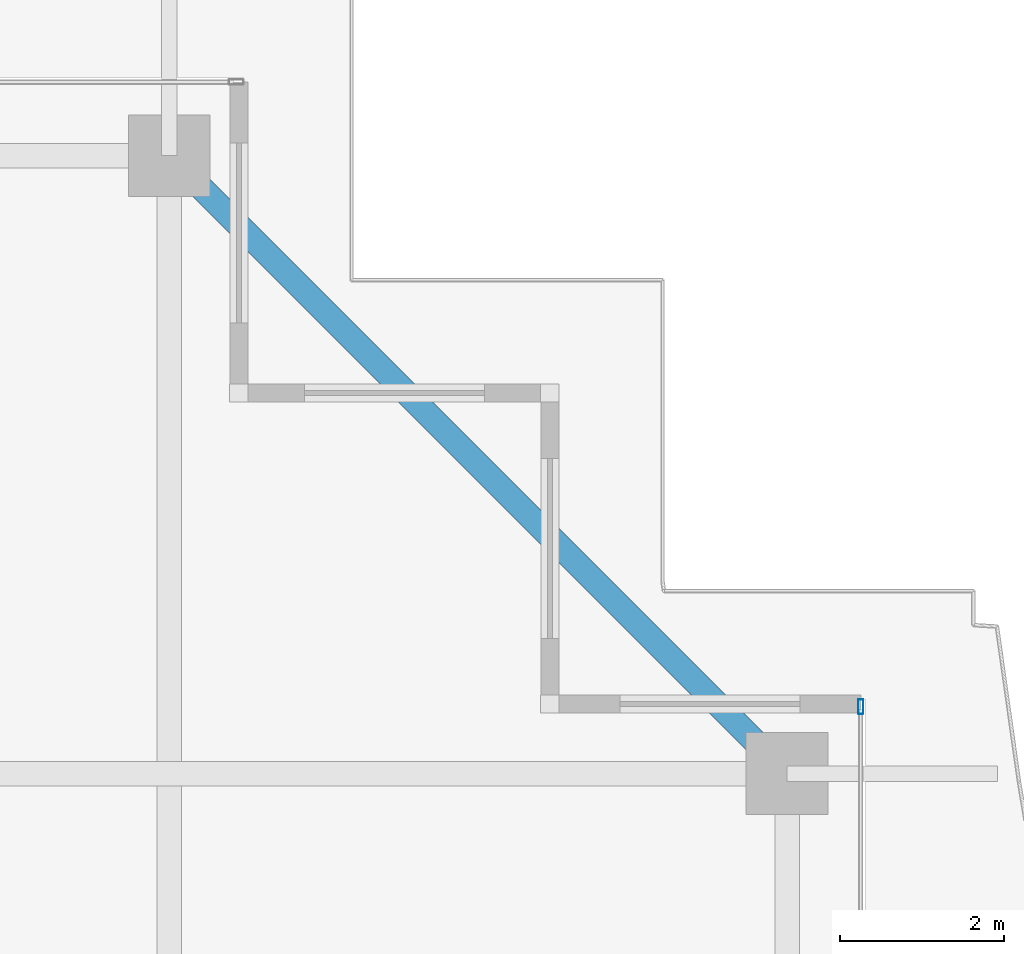
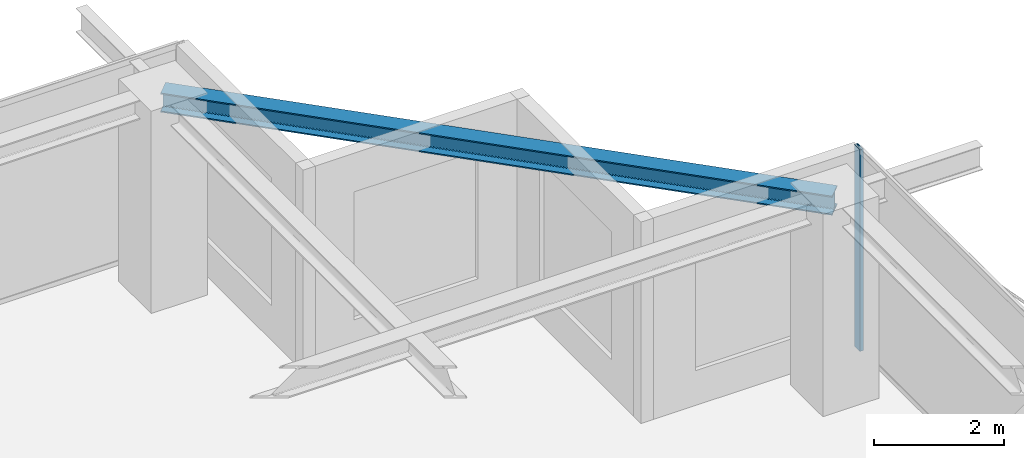
# One storey, part 28 of 42: 1 beam, 1 member, 1 element without a shape of its own.
"""IFC4 building model written with IfcOpenShell, lengths in metres."""

from ifc_helpers import new_model, si_unit, direction, frame, origin, origin_2d, place, context, subcontext, project, spatial, hollow_rectangle, i_section, extrude, source, transform, mapped, material, layer, layer_set, material_profile, profile_set, type_object, element, aggregate, save


model = new_model("IFC4")

# Units and contexts
model_context = context("Model", 3, precision=1e-05, world=origin(), true_north=direction((0.0, 1.0)))
body_context = subcontext(model_context, "Body", "Model", "MODEL_VIEW")
ifc_project = project(units=[si_unit("LENGTHUNIT", "METRE"), si_unit("AREAUNIT", "SQUARE_METRE"), si_unit("VOLUMEUNIT", "CUBIC_METRE"), si_unit("PLANEANGLEUNIT", "RADIAN"), si_unit("MASSUNIT", "GRAM", prefix="KILO")], contexts=[model_context])

# Site, building, storey
site_placement = place(None, origin())
site = spatial("IfcSite", under=ifc_project, at=site_placement, CompositionType="ELEMENT")
building_placement = place(site_placement, origin())
building = spatial("IfcBuilding", under=site, at=building_placement, Name="Serunith Strait Residences", CompositionType="ELEMENT")
storey_placement = place(building_placement, frame((0.0, 0.0, 309.64990234375)))
storey = spatial("IfcBuildingStorey", under=building, at=storey_placement, Name="L77", CompositionType="ELEMENT", Elevation=309.64990234375)

# Beam
ifc_material_1 = material(Name="Steel S355J2", Category="steel")
ifc_material_profile_1 = material_profile(ifc_material_1, i_section(OverallWidth=0.300048828125, OverallDepth=0.360107421875, WebThickness=0.012451171875, FlangeThickness=0.0224609375, FilletRadius=0.027099609375, at=origin_2d()), Name="HEB 360")
ifc_profile_set_1 = profile_set([ifc_material_profile_1], Name="Steel S355J2")
beam_type = type_object("IfcBeamType", Name="BM-HEB360", PredefinedType="BEAM", material=ifc_profile_set_1)
shared_shape_1 = source(origin(), body_context, "Body", "SweptSolid", [
    extrude(i_section(OverallWidth=0.300048828125, OverallDepth=0.360107421875, WebThickness=0.012451171875, FlangeThickness=0.0224609375, FilletRadius=0.027099609375, at=origin_2d()), origin(), (0.0, 0.0, 1.0), 10.677490234375),
])
beam_placement = place(storey_placement, frame((54.699951171875, 39.550048828125, 3.5771484375), z_axis=(-0.707106781187, 0.707106781187, 0.0), x_axis=(-0.707106781187, -0.707106781187, 0.0)))
element("IfcBeam", 1, at=beam_placement, inside=storey, type_object=beam_type, Name="L77 Perimeter Ring Beam 08", PredefinedType="BEAM", context=body_context, shape_type="MappedRepresentation", body=[
    mapped(shared_shape_1, transform((0.0, 0.0, 0.0), scale=1.0)),
])

# Curtain wall, member
ifc_material_2 = material(Name="Brushed Stainless-Silver Aluminium", Category="aluminium")
ifc_layer = layer(ifc_material_2, 0.199951171875, Name="Brushed Stainless-Silver Aluminium")
ifc_layer_set = layer_set([ifc_layer], Name="Brushed Stainless-Silver Aluminium")
curtain_wall_type = type_object("IfcCurtainWallType", Name="CW-SYS5", PredefinedType="NOTDEFINED", material=ifc_layer_set)
curtain_wall_placement = place(storey_placement, origin())
curtain_wall = element("IfcCurtainWall", 2, at=curtain_wall_placement, inside=storey, type_object=curtain_wall_type, Name="L77 E Unitised Fritted Curtain Wall", PredefinedType="NOTDEFINED")
ifc_material_profile_2 = material_profile(ifc_material_2, hollow_rectangle(XDim=0.06494140625, YDim=0.179931640625, WallThickness=0.00341796875, InnerFilletRadius=0.00537109375, OuterFilletRadius=0.0087890625, at=origin_2d()), Name="ALU 180x65x3.5")
ifc_profile_set_2 = profile_set([ifc_material_profile_2], Name="Brushed Stainless-Silver Aluminium")
member_type = type_object("IfcMemberType", Name="CW-SYS5-MULL", PredefinedType="MULLION", material=ifc_profile_set_2)
shared_shape_2 = source(origin(), body_context, "Body", "SweptSolid", [
    extrude(hollow_rectangle(XDim=0.06494140625, YDim=0.179931640625, WallThickness=0.00341796875, InnerFilletRadius=0.00537109375, OuterFilletRadius=0.0087890625, at=origin_2d()), origin(), (0.0, 0.0, 1.0), 3.775146484375),
])
member_placement = place(storey_placement, frame((55.60009765625, 40.367431640625, 0.0), z_axis=(0.0, 0.0, 1.0), x_axis=(-1.0, 0.0, 0.0)))
member = element("IfcMember", 3, at=member_placement, type_object=member_type, Name="CW-5 mullion 2", PredefinedType="MULLION", context=body_context, shape_type="MappedRepresentation", body=[
    mapped(shared_shape_2, transform((0.0, 0.0, 0.0), scale=1.0)),
])
aggregate(curtain_wall, [member])

save(model, "model.ifc")
